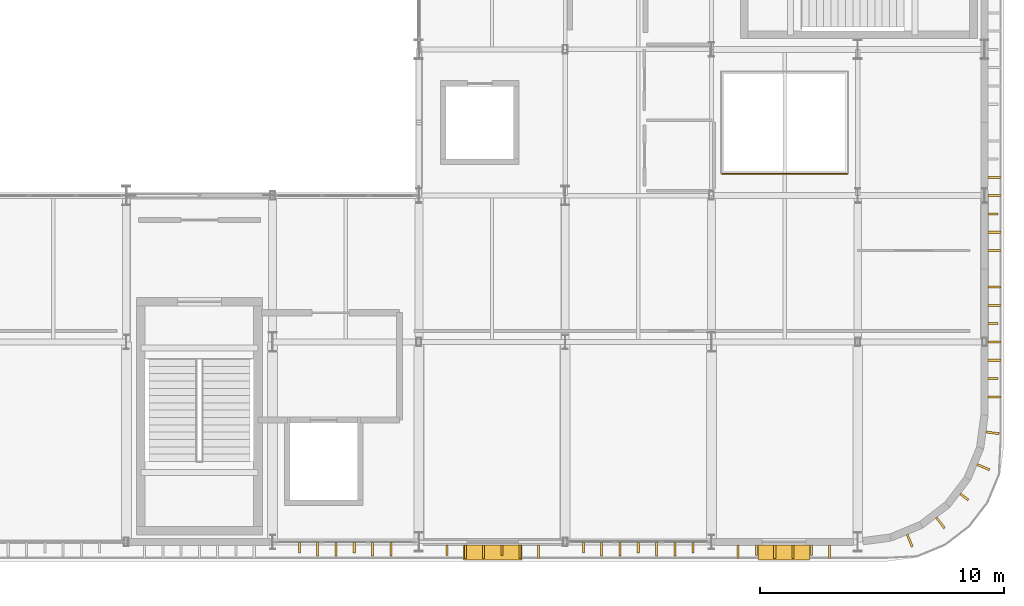
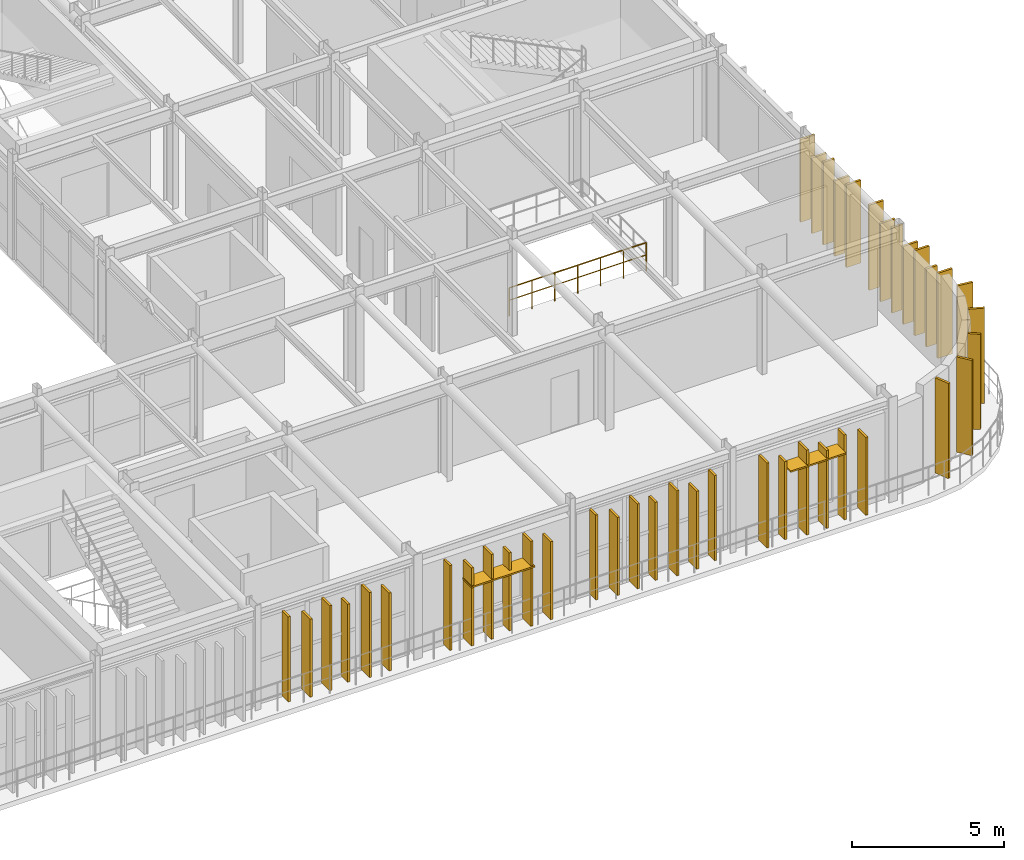
# One storey, part 113 of 116: 42 coverings, 2 shading devices, 1 railing.
"""IFC4 building model written with IfcOpenShell, lengths in metres."""

import ifcopenshell
import ifcopenshell.guid

model = None  # the IFC model being written
_history = None  # IfcOwnerHistory: only IFC2X3 demands one
_inside = {}  # id of a spatial element -> (the spatial element, [elements in it])
_under = {}  # id of a project, library or spatial element -> (it, [spatial elements below it])
_declared = {}  # id of a project -> (the project, [libraries it declares])
_typed = {}  # id of a type object -> (the type object, [elements of that type])
_made_of = {}  # id of a material, layer set ... -> (it, [elements and type objects made of it])


def new_model(schema):
    """Start an empty IFC model of exactly this schema.

    Asked for "IFC4X3", IfcOpenShell would pick the latest addendum, in which some entities
    have other attributes; the version numbers below select the first issue.
    IFC2X3 requires an IfcOwnerHistory on every rooted entity: one is made here for all.
    """
    global model, _history
    if schema == "IFC4X3":
        model = ifcopenshell.file(schema_version=(4, 3, 0, 0))
    else:
        model = ifcopenshell.file(schema=schema)
    _inside.clear()
    _under.clear()
    _declared.clear()
    _typed.clear()
    _made_of.clear()
    _history = None
    if model.schema == "IFC2X3":
        org = make("IfcOrganization", Name="unknown")
        user = make(
            "IfcPersonAndOrganization",
            ThePerson=make("IfcPerson", FamilyName="unknown"),
            TheOrganization=org,
        )
        app = make(
            "IfcApplication",
            ApplicationDeveloper=org,
            Version="unknown",
            ApplicationFullName="unknown",
            ApplicationIdentifier="unknown",
        )
        _history = make(
            "IfcOwnerHistory",
            OwningUser=user,
            OwningApplication=app,
            ChangeAction="ADDED",
            CreationDate=0,
        )
    return model


def make(cls, **values):
    """One entity of the class cls with the attributes given. An attribute that is None is left unset."""
    return model.create_entity(
        cls, **{name: value for name, value in values.items() if value is not None}
    )


def rooted(cls, **values):
    """An entity with a GlobalId (a new one), such as an element, a storey or a relation."""
    return make(cls, GlobalId=ifcopenshell.guid.new(), OwnerHistory=_history, **values)


def si_unit(unit_type, name, prefix=None):
    """IfcSIUnit, for example si_unit("LENGTHUNIT", "METRE", prefix="MILLI")."""
    return make("IfcSIUnit", UnitType=unit_type, Prefix=prefix, Name=name)


def assignment(units):
    """IfcUnitAssignment: the units of a project."""
    return None if units is None else make("IfcUnitAssignment", Units=units)


def point(xyz):
    """IfcCartesianPoint."""
    return None if xyz is None else make("IfcCartesianPoint", Coordinates=xyz)


def direction(xyz):
    """IfcDirection."""
    return None if xyz is None else make("IfcDirection", DirectionRatios=xyz)


def frame(location, z_axis=None, x_axis=None):
    """IfcAxis2Placement3D, a coordinate frame: its origin and axes. An axis left out is left unset."""
    return make(
        "IfcAxis2Placement3D",
        Location=point(location),
        Axis=direction(z_axis),
        RefDirection=direction(x_axis),
    )


def frame_2d(location, x_axis=None):
    """IfcAxis2Placement2D, a coordinate frame in the plane: its origin and x axis."""
    return make(
        "IfcAxis2Placement2D", Location=point(location), RefDirection=direction(x_axis)
    )


def origin():
    """The frame at (0, 0, 0) with its axes left unset."""
    return frame((0.0, 0.0, 0.0))


def origin_2d():
    """The frame at (0, 0) in the plane with its x axis left unset."""
    return frame_2d((0.0, 0.0))


def place(relative_to, where):
    """IfcLocalPlacement: puts the frame where relative to a parent placement (None: the world)."""
    return make(
        "IfcLocalPlacement", PlacementRelTo=relative_to, RelativePlacement=where
    )


def context(
    kind, dimensions, precision=None, world=None, true_north=None, identifier=None
):
    """IfcGeometricRepresentationContext, for example the 3D "Model" context."""
    return make(
        "IfcGeometricRepresentationContext",
        ContextIdentifier=identifier,
        ContextType=kind,
        CoordinateSpaceDimension=dimensions,
        Precision=precision,
        WorldCoordinateSystem=world,
        TrueNorth=true_north,
    )


def subcontext(parent, identifier, kind, view, scale=None):
    """IfcGeometricRepresentationSubContext, for example "Body" below "Model"."""
    return make(
        "IfcGeometricRepresentationSubContext",
        ContextIdentifier=identifier,
        ContextType=kind,
        ParentContext=parent,
        TargetScale=scale,
        TargetView=view,
    )


def project(units=None, contexts=None):
    """IfcProject with its units and contexts."""
    return rooted(
        "IfcProject",
        Name="project",
        RepresentationContexts=contexts,
        UnitsInContext=assignment(units),
    )


def spatial(cls, under=None, at=None, **own):
    """A site, building, storey or space (cls), placed at a placement, below another one or the project."""
    s = rooted(cls, ObjectPlacement=at, **own)
    if under is not None:
        _under.setdefault(under.id(), (under, []))[1].append(s)
    return s


def profile(cls, at=None, kind="AREA", **sizes):
    """A parametric profile (cls). Its sizes go by their IFC names, for example OverallWidth=200.0."""
    return make(cls, ProfileType=kind, Position=at, **sizes)


def rectangle(**sizes):
    """IfcRectangleProfileDef."""
    return profile("IfcRectangleProfileDef", **sizes)


def circle(**sizes):
    """IfcCircleProfileDef."""
    return profile("IfcCircleProfileDef", **sizes)


def extrude(swept, where, along, depth):
    """IfcExtrudedAreaSolid: the profile swept, set in the frame where, extruded along a direction by depth."""
    return make(
        "IfcExtrudedAreaSolid",
        SweptArea=swept,
        Position=where,
        ExtrudedDirection=direction(along),
        Depth=depth,
    )


def shape(context_of_items, identifier, shape_type, items):
    """IfcShapeRepresentation: the items that make up one representation, for example the "Body"."""
    return make(
        "IfcShapeRepresentation",
        ContextOfItems=context_of_items,
        RepresentationIdentifier=identifier,
        RepresentationType=shape_type,
        Items=items,
    )


def material(Name=None, Category=None):
    """IfcMaterial."""
    return make("IfcMaterial", Name=Name, Category=Category)


def layer(
    of_material, thickness, ventilated=None, Name=None, Category=None, Priority=None
):
    """IfcMaterialLayer: one layer of a wall or slab, of a material (None: an air gap)."""
    return make(
        "IfcMaterialLayer",
        Material=of_material,
        LayerThickness=thickness,
        IsVentilated=ventilated,
        Name=Name,
        Category=Category,
        Priority=Priority,
    )


def layer_set(layers, Name=None):
    """IfcMaterialLayerSet."""
    return make("IfcMaterialLayerSet", MaterialLayers=layers, LayerSetName=Name)


def made_of(thing, what):
    """Note that an element or type object is made of a material, layer set ...; save() writes the relation."""
    if what is not None:
        _made_of.setdefault(what.id(), (what, []))[1].append(thing)
    return thing


def type_object(cls, material=None, **own):
    """A type object (cls), such as IfcWallType, which elements share."""
    return made_of(rooted(cls, **own), material)


def element(
    cls,
    number,
    at=None,
    inside=None,
    cuts=None,
    type_object=None,
    material=None,
    context=None,
    identifier="Body",
    shape_type=None,
    held_by="IfcProductDefinitionShape",
    body=None,
    shapes=None,
    **own,
):
    """One element of the class cls, such as IfcWall. Its Tag is "e" and its number.

    at: its placement. inside: the storey or other place that contains it. cuts: it is an
    opening in that element (IfcRelVoidsElement). A single representation is given by context,
    identifier, shape_type and body (its items); several are given by shapes. held_by: the class
    of the entity that holds the representations. save() writes the other relations.
    """
    e = rooted(cls, Tag="e%d" % number, ObjectPlacement=at, **own)
    if body is not None:
        shapes = [shape(context, identifier, shape_type, body)]
    if shapes is not None:
        e.Representation = make(held_by, Representations=shapes)
    if inside is not None:
        _inside.setdefault(inside.id(), (inside, []))[1].append(e)
    if cuts is not None:
        rooted(
            "IfcRelVoidsElement", RelatingBuildingElement=cuts, RelatedOpeningElement=e
        )
    if type_object is not None:
        _typed.setdefault(type_object.id(), (type_object, []))[1].append(e)
    return made_of(e, material)


def aggregate(whole, parts):
    """IfcRelAggregates: a whole, such as a stair, and the parts it consists of."""
    return rooted("IfcRelAggregates", RelatingObject=whole, RelatedObjects=parts)


def save(model, path):
    """Write the relations noted so far, then the file.

    IfcRelAggregates (storeys below a building ...), IfcRelContainedInSpatialStructure (elements
    in a storey), IfcRelDefinesByType, IfcRelAssociatesMaterial and IfcRelDeclares: one each for
    every whole, place, type object, material and project.
    """
    for whole, parts in _under.values():
        aggregate(whole, parts)
    for where, things in _inside.values():
        rooted(
            "IfcRelContainedInSpatialStructure",
            RelatedElements=things,
            RelatingStructure=where,
        )
    for kind, things in _typed.values():
        rooted("IfcRelDefinesByType", RelatedObjects=things, RelatingType=kind)
    for what, things in _made_of.values():
        rooted("IfcRelAssociatesMaterial", RelatedObjects=things, RelatingMaterial=what)
    for by, libraries in _declared.values():
        rooted("IfcRelDeclares", RelatingContext=by, RelatedDefinitions=libraries)
    model.write(path)


model = new_model("IFC4")

# Units and contexts
model_context = context("Model", 3, precision=1e-05, world=origin(), true_north=direction((0.0, 1.0)))
body_context = subcontext(model_context, "Body", "Model", "MODEL_VIEW")
ifc_project = project(units=[si_unit("LENGTHUNIT", "METRE"), si_unit("AREAUNIT", "SQUARE_METRE"), si_unit("VOLUMEUNIT", "CUBIC_METRE"), si_unit("PLANEANGLEUNIT", "RADIAN"), si_unit("MASSUNIT", "GRAM", prefix="KILO")], contexts=[model_context])

# Site, building, storey
site_placement = place(None, origin())
site = spatial("IfcSite", under=ifc_project, at=site_placement, CompositionType="ELEMENT")
building_placement = place(site_placement, origin())
building = spatial("IfcBuilding", under=site, at=building_placement, Name="Varnakota Square Police Headquarters", CompositionType="ELEMENT")
storey_placement = place(building_placement, frame((0.0, 0.0, 9.300048828125)))
storey = spatial("IfcBuildingStorey", under=building, at=storey_placement, Name="L02", CompositionType="ELEMENT", Elevation=9.300048828125)

# Coverings
ifc_material_1 = material(Name="White Anodised Aluminium Vertical Facade Blade 420", Category="aluminium")
ifc_layer_1 = layer(ifc_material_1, 0.0849609375, Name="White Anodised Aluminium Vertical Facade Blade 420")
ifc_layer_set_1 = layer_set([ifc_layer_1], Name="White Anodised Aluminium Vertical Facade Blade 420")
covering_type_1 = type_object("IfcCoveringType", Name="COV-FIN-420", PredefinedType="CLADDING", material=ifc_layer_set_1)
covering_1_placement = place(storey_placement, frame((133.097412109375, 0.5625, 0.0400390625), z_axis=(0.0, 0.0, 1.0), x_axis=(1.0, 0.0, 0.0)))
element("IfcCovering", 1, at=covering_1_placement, inside=storey, type_object=covering_type_1, Name="Vertical aluminium facade fin FIN-0349", PredefinedType="CLADDING", context=body_context, shape_type="SweptSolid", body=[
    extrude(rectangle(XDim=0.0849609375, YDim=0.419921875, at=origin_2d()), origin(), (0.0, 0.0, 1.0), 3.403564453125),
])
covering_2_placement = place(storey_placement, frame((135.347412109375, 0.5625, 0.0400390625), z_axis=(0.0, 0.0, 1.0), x_axis=(1.0, 0.0, 0.0)))
element("IfcCovering", 2, at=covering_2_placement, inside=storey, type_object=covering_type_1, Name="Vertical aluminium facade fin FIN-0352", PredefinedType="CLADDING", context=body_context, shape_type="SweptSolid", body=[
    extrude(rectangle(XDim=0.0849609375, YDim=0.419921875, at=origin_2d()), origin(), (0.0, 0.0, 1.0), 3.12353515625),
])
covering_3_placement = place(storey_placement, frame((139.155029296875, 0.455078125, 0.0400390625), z_axis=(0.0, 0.0, 1.0), x_axis=(1.0, 0.0, 0.0)))
element("IfcCovering", 3, at=covering_3_placement, inside=storey, type_object=covering_type_1, Name="Vertical aluminium facade fin FIN-0355", PredefinedType="CLADDING", context=body_context, shape_type="SweptSolid", body=[
    extrude(rectangle(XDim=0.0849609375, YDim=0.419921875, at=origin_2d()), origin(), (0.0, 0.0, 1.0), 3.403564453125),
])
covering_4_placement = place(storey_placement, frame((141.405029296875, 0.455078125, 0.0400390625), z_axis=(0.0, 0.0, 1.0), x_axis=(1.0, 0.0, 0.0)))
element("IfcCovering", 4, at=covering_4_placement, inside=storey, type_object=covering_type_1, Name="Vertical aluminium facade fin FIN-0358", PredefinedType="CLADDING", context=body_context, shape_type="SweptSolid", body=[
    extrude(rectangle(XDim=0.0849609375, YDim=0.419921875, at=origin_2d()), origin(), (0.0, 0.0, 1.0), 3.12353515625),
])
covering_5_placement = place(storey_placement, frame((144.74755859375, 0.5625, 0.0400390625), z_axis=(0.0, 0.0, 1.0), x_axis=(1.0, 0.0, 0.0)))
element("IfcCovering", 5, at=covering_5_placement, inside=storey, type_object=covering_type_1, Name="Vertical aluminium facade fin FIN-0361", PredefinedType="CLADDING", context=body_context, shape_type="SweptSolid", body=[
    extrude(rectangle(XDim=0.0849609375, YDim=0.419921875, at=origin_2d()), origin(), (0.0, 0.0, 1.0), 3.403564453125),
])
covering_6_placement = place(storey_placement, frame((146.99755859375, 0.5625, 0.0400390625), z_axis=(0.0, 0.0, 1.0), x_axis=(1.0, 0.0, 0.0)))
element("IfcCovering", 6, at=covering_6_placement, inside=storey, type_object=covering_type_1, Name="Vertical aluminium facade fin FIN-0364", PredefinedType="CLADDING", context=body_context, shape_type="SweptSolid", body=[
    extrude(rectangle(XDim=0.0849609375, YDim=0.419921875, at=origin_2d()), origin(), (0.0, 0.0, 1.0), 3.12353515625),
])
covering_7_placement = place(storey_placement, frame((149.24755859375, 0.5625, 0.0400390625), z_axis=(0.0, 0.0, 1.0), x_axis=(1.0, 0.0, 0.0)))
element("IfcCovering", 7, at=covering_7_placement, inside=storey, type_object=covering_type_1, Name="Vertical aluminium facade fin FIN-0367", PredefinedType="CLADDING", context=body_context, shape_type="SweptSolid", body=[
    extrude(rectangle(XDim=0.0849609375, YDim=0.419921875, at=origin_2d()), origin(), (0.0, 0.0, 1.0), 3.403564453125),
])
covering_8_placement = place(storey_placement, frame((151.847412109375, 0.455078125, 0.0400390625), z_axis=(0.0, 0.0, 1.0), x_axis=(1.0, 0.0, 0.0)))
element("IfcCovering", 8, at=covering_8_placement, inside=storey, type_object=covering_type_1, Name="Vertical aluminium facade fin FIN-0369", PredefinedType="CLADDING", context=body_context, shape_type="SweptSolid", body=[
    extrude(rectangle(XDim=0.0849609375, YDim=0.419921875, at=origin_2d()), origin(), (0.0, 0.0, 1.0), 3.12353515625),
])
covering_9_placement = place(storey_placement, frame((154.097412109375, 0.455078125, 0.0400390625), z_axis=(0.0, 0.0, 1.0), x_axis=(1.0, 0.0, 0.0)))
element("IfcCovering", 9, at=covering_9_placement, inside=storey, type_object=covering_type_1, Name="Vertical aluminium facade fin FIN-0372", PredefinedType="CLADDING", context=body_context, shape_type="SweptSolid", body=[
    extrude(rectangle(XDim=0.0849609375, YDim=0.419921875, at=origin_2d()), origin(), (0.0, 0.0, 1.0), 3.403564453125),
])
covering_10_placement = place(storey_placement, frame((161.544921875, 7.5, 0.0400390625), z_axis=(0.0, 0.0, 1.0), x_axis=(0.0, 1.0, 0.0)))
element("IfcCovering", 10, at=covering_10_placement, inside=storey, type_object=covering_type_1, Name="Vertical aluminium facade fin FIN-0375", PredefinedType="CLADDING", context=body_context, shape_type="SweptSolid", body=[
    extrude(rectangle(XDim=0.0849609375, YDim=0.419921875, at=origin_2d()), origin(), (0.0, 0.0, 1.0), 3.1298828125),
])
covering_11_placement = place(storey_placement, frame((161.544921875, 9.75, 0.0400390625), z_axis=(0.0, 0.0, 1.0), x_axis=(0.0, 1.0, 0.0)))
element("IfcCovering", 11, at=covering_11_placement, inside=storey, type_object=covering_type_1, Name="Vertical aluminium facade fin FIN-0378", PredefinedType="CLADDING", context=body_context, shape_type="SweptSolid", body=[
    extrude(rectangle(XDim=0.0849609375, YDim=0.419921875, at=origin_2d()), origin(), (0.0, 0.0, 1.0), 3.409912109375),
])
covering_12_placement = place(storey_placement, frame((161.544921875, 14.25, 0.0400390625), z_axis=(0.0, 0.0, 1.0), x_axis=(0.0, 1.0, 0.0)))
element("IfcCovering", 12, at=covering_12_placement, inside=storey, type_object=covering_type_1, Name="Vertical aluminium facade fin FIN-0383", PredefinedType="CLADDING", context=body_context, shape_type="SweptSolid", body=[
    extrude(rectangle(XDim=0.0849609375, YDim=0.419921875, at=origin_2d()), origin(), (0.0, 0.0, 1.0), 3.31005859375),
])
covering_13_placement = place(storey_placement, frame((160.371826171875, 2.6455078125, 0.0400390625), z_axis=(0.0, 0.0, 1.0), x_axis=(0.608761429009, 0.793353340291, 0.0)))
element("IfcCovering", 13, at=covering_13_placement, inside=storey, type_object=covering_type_1, Name="Vertical aluminium facade fin FIN-0421", PredefinedType="CLADDING", context=body_context, shape_type="SweptSolid", body=[
    extrude(rectangle(XDim=0.0849609375, YDim=0.419921875, at=origin_2d()), origin(), (0.0, 0.0, 1.0), 3.81494140625),
])
ifc_material_2 = material(Name="White Anodised Aluminium Vertical Facade Blade 550", Category="aluminium")
ifc_layer_2 = layer(ifc_material_2, 0.0849609375, Name="White Anodised Aluminium Vertical Facade Blade 550")
ifc_layer_set_2 = layer_set([ifc_layer_2], Name="White Anodised Aluminium Vertical Facade Blade 550")
covering_type_2 = type_object("IfcCoveringType", Name="COV-FIN-550", PredefinedType="CLADDING", material=ifc_layer_set_2)
covering_14_placement = place(storey_placement, frame((133.847412109375, 0.49755859375, 0.0400390625), z_axis=(0.0, 0.0, 1.0), x_axis=(1.0, 0.0, 0.0)))
element("IfcCovering", 14, at=covering_14_placement, inside=storey, type_object=covering_type_2, Name="Vertical aluminium facade fin FIN-0350", PredefinedType="CLADDING", context=body_context, shape_type="SweptSolid", body=[
    extrude(rectangle(XDim=0.0849609375, YDim=0.550048828125, at=origin_2d()), origin(), (0.0, 0.0, 1.0), 3.12353515625),
])
for number, where, z_axis, x_axis, name in (
    (15, (134.597412109375, 0.49755859375, 0.0400390625), (0.0, 0.0, 1.0), (1.0, 0.0, 0.0), "Vertical aluminium facade fin FIN-0351"),
    (16, (136.097412109375, 0.49755859375, 0.0400390625), (0.0, 0.0, 1.0), (1.0, 0.0, 0.0), "Vertical aluminium facade fin FIN-0353"),
):
    element("IfcCovering", number, at=place(storey_placement, frame(where, z_axis=z_axis, x_axis=x_axis)), inside=storey, type_object=covering_type_2, Name=name, PredefinedType="CLADDING", context=body_context, shape_type="SweptSolid", body=[
        extrude(rectangle(XDim=0.0849609375, YDim=0.550048828125, at=origin_2d()), origin(), (0.0, 0.0, 1.0), 3.403564453125),
    ])
for number, where, z_axis, x_axis, name in (
    (17, (136.847412109375, 0.49755859375, 0.0400390625), (0.0, 0.0, 1.0), (1.0, 0.0, 0.0), "Vertical aluminium facade fin FIN-0354"),
    (18, (139.905029296875, 0.389892578125, 0.0400390625), (0.0, 0.0, 1.0), (1.0, 0.0, 0.0), "Vertical aluminium facade fin FIN-0356"),
):
    element("IfcCovering", number, at=place(storey_placement, frame(where, z_axis=z_axis, x_axis=x_axis)), inside=storey, type_object=covering_type_2, Name=name, PredefinedType="CLADDING", context=body_context, shape_type="SweptSolid", body=[
        extrude(rectangle(XDim=0.0849609375, YDim=0.550048828125, at=origin_2d()), origin(), (0.0, 0.0, 1.0), 3.12353515625),
    ])
for number, where, z_axis, x_axis, name in (
    (19, (140.655029296875, 0.389892578125, 0.0400390625), (0.0, 0.0, 1.0), (1.0, 0.0, 0.0), "Vertical aluminium facade fin FIN-0357"),
    (20, (142.155029296875, 0.389892578125, 0.0400390625), (0.0, 0.0, 1.0), (1.0, 0.0, 0.0), "Vertical aluminium facade fin FIN-0359"),
):
    element("IfcCovering", number, at=place(storey_placement, frame(where, z_axis=z_axis, x_axis=x_axis)), inside=storey, type_object=covering_type_2, Name=name, PredefinedType="CLADDING", context=body_context, shape_type="SweptSolid", body=[
        extrude(rectangle(XDim=0.0849609375, YDim=0.550048828125, at=origin_2d()), origin(), (0.0, 0.0, 1.0), 3.403564453125),
    ])
for number, where, z_axis, x_axis, name in (
    (21, (142.905029296875, 0.389892578125, 0.0400390625), (0.0, 0.0, 1.0), (1.0, 0.0, 0.0), "Vertical aluminium facade fin FIN-0360"),
    (22, (145.49755859375, 0.49755859375, 0.0400390625), (0.0, 0.0, 1.0), (1.0, 0.0, 0.0), "Vertical aluminium facade fin FIN-0362"),
):
    element("IfcCovering", number, at=place(storey_placement, frame(where, z_axis=z_axis, x_axis=x_axis)), inside=storey, type_object=covering_type_2, Name=name, PredefinedType="CLADDING", context=body_context, shape_type="SweptSolid", body=[
        extrude(rectangle(XDim=0.0849609375, YDim=0.550048828125, at=origin_2d()), origin(), (0.0, 0.0, 1.0), 3.12353515625),
    ])
for number, where, z_axis, x_axis, name in (
    (23, (146.24755859375, 0.49755859375, 0.0400390625), (0.0, 0.0, 1.0), (1.0, 0.0, 0.0), "Vertical aluminium facade fin FIN-0363"),
    (24, (147.74755859375, 0.49755859375, 0.0400390625), (0.0, 0.0, 1.0), (1.0, 0.0, 0.0), "Vertical aluminium facade fin FIN-0365"),
):
    element("IfcCovering", number, at=place(storey_placement, frame(where, z_axis=z_axis, x_axis=x_axis)), inside=storey, type_object=covering_type_2, Name=name, PredefinedType="CLADDING", context=body_context, shape_type="SweptSolid", body=[
        extrude(rectangle(XDim=0.0849609375, YDim=0.550048828125, at=origin_2d()), origin(), (0.0, 0.0, 1.0), 3.403564453125),
    ])
covering_15_placement = place(storey_placement, frame((148.49755859375, 0.49755859375, 0.0400390625), z_axis=(0.0, 0.0, 1.0), x_axis=(1.0, 0.0, 0.0)))
element("IfcCovering", 25, at=covering_15_placement, inside=storey, type_object=covering_type_2, Name="Vertical aluminium facade fin FIN-0366", PredefinedType="CLADDING", context=body_context, shape_type="SweptSolid", body=[
    extrude(rectangle(XDim=0.0849609375, YDim=0.550048828125, at=origin_2d()), origin(), (0.0, 0.0, 1.0), 3.12353515625),
])
for number, where, z_axis, x_axis, name in (
    (26, (151.097412109375, 0.389892578125, 0.0400390625), (0.0, 0.0, 1.0), (1.0, 0.0, 0.0), "Vertical aluminium facade fin FIN-0368"),
    (27, (152.597412109375, 0.389892578125, 0.0400390625), (0.0, 0.0, 1.0), (1.0, 0.0, 0.0), "Vertical aluminium facade fin FIN-0370"),
):
    element("IfcCovering", number, at=place(storey_placement, frame(where, z_axis=z_axis, x_axis=x_axis)), inside=storey, type_object=covering_type_2, Name=name, PredefinedType="CLADDING", context=body_context, shape_type="SweptSolid", body=[
        extrude(rectangle(XDim=0.0849609375, YDim=0.550048828125, at=origin_2d()), origin(), (0.0, 0.0, 1.0), 3.403564453125),
    ])
for number, where, z_axis, x_axis, name in (
    (28, (153.347412109375, 0.389892578125, 0.0400390625), (0.0, 0.0, 1.0), (1.0, 0.0, 0.0), "Vertical aluminium facade fin FIN-0371"),
    (29, (154.847412109375, 0.389892578125, 0.0400390625), (0.0, 0.0, 1.0), (1.0, 0.0, 0.0), "Vertical aluminium facade fin FIN-0373"),
):
    element("IfcCovering", number, at=place(storey_placement, frame(where, z_axis=z_axis, x_axis=x_axis)), inside=storey, type_object=covering_type_2, Name=name, PredefinedType="CLADDING", context=body_context, shape_type="SweptSolid", body=[
        extrude(rectangle(XDim=0.0849609375, YDim=0.550048828125, at=origin_2d()), origin(), (0.0, 0.0, 1.0), 3.12353515625),
    ])
for number, where, z_axis, x_axis, name in (
    (30, (161.610107421875, 6.75, 0.0400390625), (0.0, 0.0, 1.0), (0.0, 1.0, 0.0), "Vertical aluminium facade fin FIN-0374"),
    (31, (161.610107421875, 8.25, 0.0400390625), (0.0, 0.0, 1.0), (0.0, 1.0, 0.0), "Vertical aluminium facade fin FIN-0376"),
):
    element("IfcCovering", number, at=place(storey_placement, frame(where, z_axis=z_axis, x_axis=x_axis)), inside=storey, type_object=covering_type_2, Name=name, PredefinedType="CLADDING", context=body_context, shape_type="SweptSolid", body=[
        extrude(rectangle(XDim=0.0849609375, YDim=0.550048828125, at=origin_2d()), origin(), (0.0, 0.0, 1.0), 3.409912109375),
    ])
for number, where, z_axis, x_axis, name in (
    (32, (161.610107421875, 9.0, 0.0400390625), (0.0, 0.0, 1.0), (0.0, 1.0, 0.0), "Vertical aluminium facade fin FIN-0377"),
    (33, (161.610107421875, 10.5, 0.0400390625), (0.0, 0.0, 1.0), (0.0, 1.0, 0.0), "Vertical aluminium facade fin FIN-0379"),
):
    element("IfcCovering", number, at=place(storey_placement, frame(where, z_axis=z_axis, x_axis=x_axis)), inside=storey, type_object=covering_type_2, Name=name, PredefinedType="CLADDING", context=body_context, shape_type="SweptSolid", body=[
        extrude(rectangle(XDim=0.0849609375, YDim=0.550048828125, at=origin_2d()), origin(), (0.0, 0.0, 1.0), 3.1298828125),
    ])
covering_16_placement = place(storey_placement, frame((161.610107421875, 11.25, 0.0400390625), z_axis=(0.0, 0.0, 1.0), x_axis=(0.0, 1.0, 0.0)))
element("IfcCovering", 34, at=covering_16_placement, inside=storey, type_object=covering_type_2, Name="Vertical aluminium facade fin FIN-0380", PredefinedType="CLADDING", context=body_context, shape_type="SweptSolid", body=[
    extrude(rectangle(XDim=0.0849609375, YDim=0.550048828125, at=origin_2d()), origin(), (0.0, 0.0, 1.0), 3.409912109375),
])
covering_17_placement = place(storey_placement, frame((161.610107421875, 12.75, 0.0400390625), z_axis=(0.0, 0.0, 1.0), x_axis=(0.0, 1.0, 0.0)))
element("IfcCovering", 35, at=covering_17_placement, inside=storey, type_object=covering_type_2, Name="Vertical aluminium facade fin FIN-0381", PredefinedType="CLADDING", context=body_context, shape_type="SweptSolid", body=[
    extrude(rectangle(XDim=0.0849609375, YDim=0.550048828125, at=origin_2d()), origin(), (0.0, 0.0, 1.0), 3.31005859375),
])
for number, where, z_axis, x_axis, name in (
    (36, (161.610107421875, 13.5, 0.0400390625), (0.0, 0.0, 1.0), (0.0, 1.0, 0.0), "Vertical aluminium facade fin FIN-0382"),
    (37, (161.610107421875, 15.0, 0.0400390625), (0.0, 0.0, 1.0), (0.0, 1.0, 0.0), "Vertical aluminium facade fin FIN-0384"),
):
    element("IfcCovering", number, at=place(storey_placement, frame(where, z_axis=z_axis, x_axis=x_axis)), inside=storey, type_object=covering_type_2, Name=name, PredefinedType="CLADDING", context=body_context, shape_type="SweptSolid", body=[
        extrude(rectangle(XDim=0.0849609375, YDim=0.550048828125, at=origin_2d()), origin(), (0.0, 0.0, 1.0), 3.030029296875),
    ])
covering_18_placement = place(storey_placement, frame((161.610107421875, 15.75, 0.0400390625), z_axis=(0.0, 0.0, 1.0), x_axis=(0.0, 1.0, 0.0)))
element("IfcCovering", 38, at=covering_18_placement, inside=storey, type_object=covering_type_2, Name="Vertical aluminium facade fin FIN-0385", PredefinedType="CLADDING", context=body_context, shape_type="SweptSolid", body=[
    extrude(rectangle(XDim=0.0849609375, YDim=0.550048828125, at=origin_2d()), origin(), (0.0, 0.0, 1.0), 3.31005859375),
])
for number, where, z_axis, x_axis, name in (
    (39, (158.1337890625, 0.848876953125, 0.0400390625), (0.0, 0.0, 1.0), (0.923879532511, 0.382683432365, 0.0), "Vertical aluminium facade fin FIN-0419"),
    (40, (159.394287109375, 1.57666015625, 0.0400390625), (0.0, 0.0, 1.0), (0.793353340291, 0.608761429009, 0.0), "Vertical aluminium facade fin FIN-0420"),
    (41, (161.151123046875, 3.8662109375, 0.0400390625), (0.0, 0.0, 1.0), (0.382683432365, 0.923879532511, 0.0), "Vertical aluminium facade fin FIN-0422"),
    (42, (161.52783203125, 5.272216796875, 0.0400390625), (0.0, 0.0, 1.0), (0.13052619222, 0.991444861374, 0.0), "Vertical aluminium facade fin FIN-0423"),
):
    element("IfcCovering", number, at=place(storey_placement, frame(where, z_axis=z_axis, x_axis=x_axis)), inside=storey, type_object=covering_type_2, Name=name, PredefinedType="CLADDING", context=body_context, shape_type="SweptSolid", body=[
        extrude(rectangle(XDim=0.0849609375, YDim=0.550048828125, at=origin_2d()), origin(), (0.0, 0.0, 1.0), 3.81494140625),
    ])

# Railing
ifc_material_3 = material(Name="Laminated Glass and Stainless Steel Balustrade", Category="steel")
railing_type = type_object("IfcRailingType", Name="RL-INT-1150", PredefinedType="BALUSTRADE", material=ifc_material_3)
railing_placement = place(storey_placement, frame((150.39990234375, 15.89990234375, 0.0)))
element("IfcRailing", 43, at=railing_placement, inside=storey, type_object=railing_type, Name="Detective light-well balustrade", PredefinedType="BALUSTRADE", context=body_context, shape_type="SweptSolid", body=[
    extrude(circle(Radius=0.02392578125, at=origin_2d()), frame((0.0, 0.0, 1.1259765625), z_axis=(1.0, 0.0, 0.0), x_axis=(0.0, 1.0, 0.0)), (0.0, 0.0, 1.0), 5.2001953125),
    extrude(circle(Radius=0.01806640625, at=origin_2d()), frame((0.0, 0.0, 0.63232421875), z_axis=(1.0, 0.0, 0.0), x_axis=(0.0, 1.0, 0.0)), (0.0, 0.0, 1.0), 5.2001953125),
    extrude(circle(Radius=0.02099609375, at=origin_2d()), origin(), (0.0, 0.0, 1.0), 1.101806640625),
    extrude(circle(Radius=0.02099609375, at=origin_2d()), frame((0.86669921875, 0.0, 0.0)), (0.0, 0.0, 1.0), 1.101806640625),
    extrude(circle(Radius=0.02099609375, at=origin_2d()), frame((1.7333984375, 0.0, 0.0)), (0.0, 0.0, 1.0), 1.101806640625),
    extrude(circle(Radius=0.02099609375, at=origin_2d()), frame((2.60009765625, 0.0, 0.0)), (0.0, 0.0, 1.0), 1.101806640625),
    extrude(circle(Radius=0.02099609375, at=origin_2d()), frame((3.466796875, 0.0, 0.0)), (0.0, 0.0, 1.0), 1.101806640625),
    extrude(circle(Radius=0.02099609375, at=origin_2d()), frame((4.33349609375, 0.0, 0.0)), (0.0, 0.0, 1.0), 1.101806640625),
    extrude(circle(Radius=0.02099609375, at=origin_2d()), frame((5.2001953125, 0.0, 0.0)), (0.0, 0.0, 1.0), 1.101806640625),
])

# Shading devices
ifc_material_4 = material(Name="Anodised Aluminium Horizontal Brise-Soleil", Category="aluminium")
ifc_layer_3 = layer(ifc_material_4, 0.06005859375, Name="Anodised Aluminium Horizontal Brise-Soleil")
ifc_layer_set_3 = layer_set([ifc_layer_3], Name="Anodised Aluminium Horizontal Brise-Soleil")
shading_device_type = type_object("IfcShadingDeviceType", Name="SHD-JAL-600", PredefinedType="JALOUSIE", material=ifc_layer_set_3)
shading_device_1_placement = place(storey_placement, frame((141.030029296875, 0.362060546875, 2.39990234375), z_axis=(0.0, 0.0, 1.0), x_axis=(1.0, 0.0, 0.0)))
element("IfcShadingDevice", 44, at=shading_device_1_placement, inside=storey, type_object=shading_device_type, Name="Horizontal sunshade SHD-020", PredefinedType="JALOUSIE", context=body_context, shape_type="SweptSolid", body=[
    extrude(rectangle(XDim=2.39990234375, YDim=0.60009765625, at=origin_2d()), origin(), (0.0, 0.0, 1.0), 0.06005859375),
])
shading_device_2_placement = place(storey_placement, frame((152.972412109375, 0.362060546875, 2.7998046875), z_axis=(0.0, 0.0, 1.0), x_axis=(1.0, 0.0, 0.0)))
element("IfcShadingDevice", 45, at=shading_device_2_placement, inside=storey, type_object=shading_device_type, Name="Horizontal sunshade SHD-021", PredefinedType="JALOUSIE", context=body_context, shape_type="SweptSolid", body=[
    extrude(rectangle(XDim=2.10009765625, YDim=0.60009765625, at=origin_2d()), origin(), (0.0, 0.0, 1.0), 0.06005859375),
])

save(model, "model.ifc")
